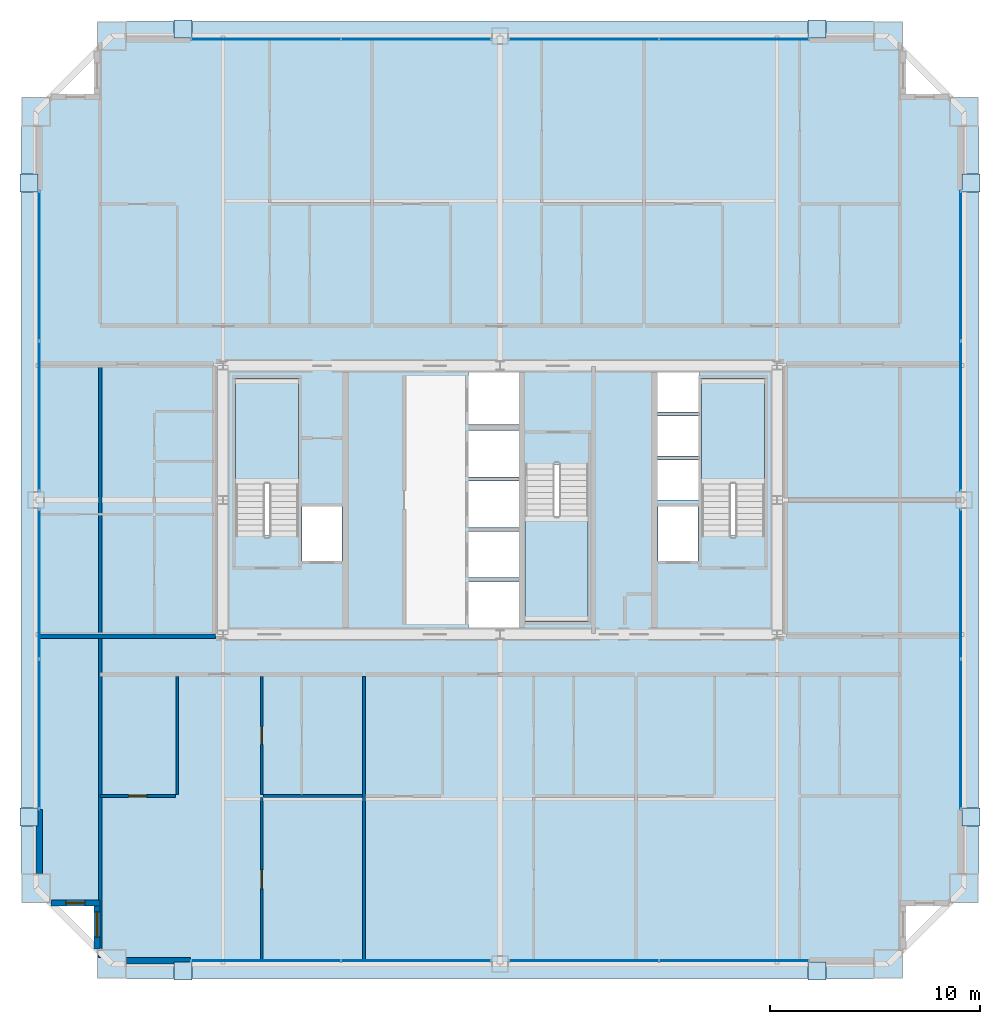
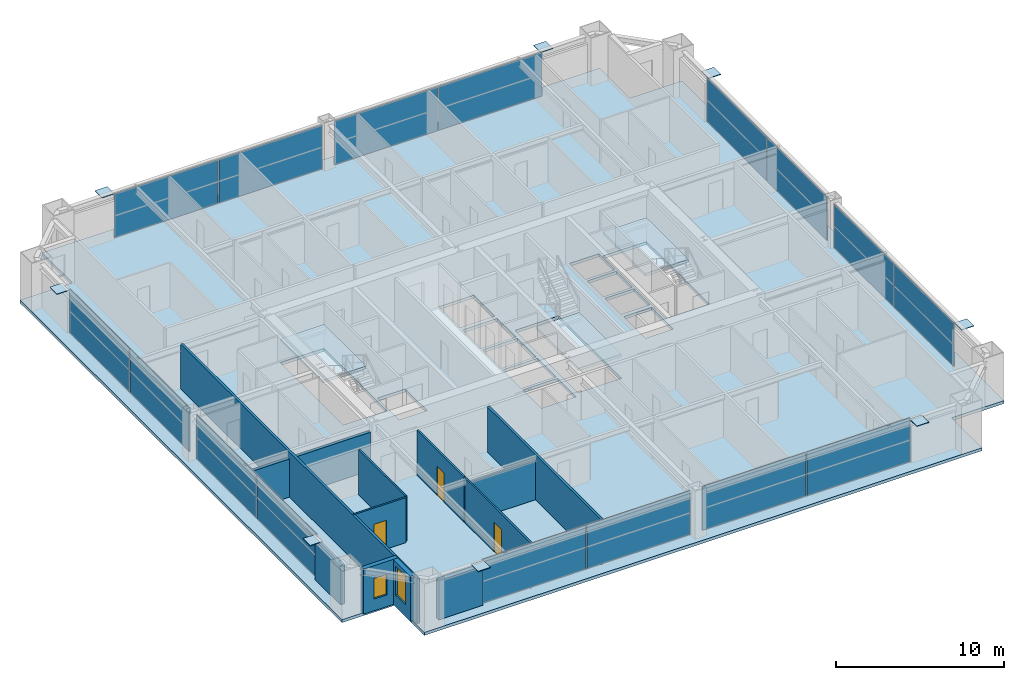
# One storey, part 32 of 38: 24 plates, 12 walls, 4 slabs, 3 doors, 2 windows, 5 openings, 11 elements without a shape of their own.
"""IFC4 building model written with IfcOpenShell, lengths in metres."""

from ifc_helpers import new_model, si_unit, direction, frame, frame_2d, origin, origin_2d, place, context, subcontext, project, spatial, polyline, rectangle, outline, extrude, source, transform, mapped, material, layer, layer_set, type_object, element, fill, aggregate, save


model = new_model("IFC4")

# Units and contexts
model_context = context("Model", 3, precision=1e-05, world=origin(), true_north=direction((0.0, 1.0)))
body_context = subcontext(model_context, "Body", "Model", "MODEL_VIEW")
ifc_project = project(units=[si_unit("LENGTHUNIT", "METRE"), si_unit("AREAUNIT", "SQUARE_METRE"), si_unit("VOLUMEUNIT", "CUBIC_METRE"), si_unit("PLANEANGLEUNIT", "RADIAN"), si_unit("MASSUNIT", "GRAM", prefix="KILO"), si_unit("THERMODYNAMICTEMPERATUREUNIT", "KELVIN"), si_unit("POWERUNIT", "WATT")], contexts=[model_context])

# Site, building, storey
site_placement = place(None, origin())
site = spatial("IfcSite", under=ifc_project, at=site_placement, CompositionType="ELEMENT")
building_placement = place(site_placement, origin())
building = spatial("IfcBuilding", under=site, at=building_placement, Name="Yuzanri Waterfront Tower", CompositionType="ELEMENT")
storey_placement = place(building_placement, frame((0.0, 0.0, 209.0)))
storey = spatial("IfcBuildingStorey", under=building, at=storey_placement, Name="L55", CompositionType="ELEMENT", Elevation=209.0)

# Stair, slab
ifc_material_1 = material(Name="Concrete C40", Category="concrete")
stair_type = type_object("IfcStairType", Name="Concrete C40 Core Dogleg Exit Stair", PredefinedType="HALF_TURN_STAIR", material=ifc_material_1)
stair_1_placement = place(storey_placement, origin())
stair_1 = element("IfcStair", 1, at=stair_1_placement, inside=storey, type_object=stair_type, Name="L55 Smoke-Proof Core Stair ST-01", PredefinedType="HALF_TURN_STAIR")
ifc_material_2 = material(Name="Concrete C40", Category="concrete")
ifc_layer_1 = layer(ifc_material_2, 0.179931640625)
ifc_layer_set_1 = layer_set([ifc_layer_1], Name="Concrete C40")
slab_type_1 = type_object("IfcSlabType", Name="Concrete C40 Stair Half-Landing Slab 180", PredefinedType="LANDING", material=ifc_layer_set_1)
slab_1_placement = place(storey_placement, frame((0.0, 0.0, 1.550048828125)))
slab_1 = element("IfcSlab", 2, at=slab_1_placement, type_object=slab_type_1, Name="ST-01 landing 1", PredefinedType="LANDING", context=body_context, shape_type="SweptSolid", body=[
    extrude(outline(polyline([(27.39990234375, 26.56005859375), (27.39990234375, 31.580078125), (24.39990234375, 31.580078125), (24.39990234375, 26.56005859375), (27.39990234375, 26.56005859375)])), origin(), (0.0, 0.0, 1.0), 0.199951171875),
])
aggregate(stair_1, [slab_1])

stair_2_placement = place(storey_placement, origin())
stair_2 = element("IfcStair", 3, at=stair_2_placement, inside=storey, type_object=stair_type, Name="L55 Smoke-Proof Core Stair ST-02", PredefinedType="HALF_TURN_STAIR")
slab_2_placement = place(storey_placement, frame((0.0, 0.0, 1.550048828125)))
slab_2 = element("IfcSlab", 4, at=slab_2_placement, type_object=slab_type_1, Name="ST-02 landing 1", PredefinedType="LANDING", context=body_context, shape_type="SweptSolid", body=[
    extrude(outline(polyline([(49.60009765625, 26.56005859375), (49.60009765625, 31.580078125), (46.60009765625, 31.580078125), (46.60009765625, 26.56005859375), (49.60009765625, 26.56005859375)])), origin(), (0.0, 0.0, 1.0), 0.199951171875),
])
aggregate(stair_2, [slab_2])

stair_3_placement = place(storey_placement, origin())
stair_3 = element("IfcStair", 5, at=stair_3_placement, inside=storey, type_object=stair_type, Name="L55 Smoke-Proof Core Stair ST-03", PredefinedType="HALF_TURN_STAIR")
slab_3_placement = place(storey_placement, frame((0.0, 0.0, 1.550048828125)))
slab_3 = element("IfcSlab", 6, at=slab_3_placement, type_object=slab_type_1, Name="ST-03 landing 1", PredefinedType="LANDING", context=body_context, shape_type="SweptSolid", body=[
    extrude(outline(polyline([(38.199951171875, 25.0400390625), (38.199951171875, 20.02001953125), (41.199951171875, 20.02001953125), (41.199951171875, 25.0400390625), (38.199951171875, 25.0400390625)])), origin(), (0.0, 0.0, 1.0), 0.199951171875),
])
aggregate(stair_3, [slab_3])

# Slab
ifc_material_3 = material(Name="Concrete C40", Category="concrete")
ifc_layer_2 = layer(ifc_material_3, 0.219970703125)
ifc_layer_set_2 = layer_set([ifc_layer_2], Name="Concrete C40")
slab_type_2 = type_object("IfcSlabType", Name="Concrete C40 Tower Typical Structural Floor Slab 220", PredefinedType="FLOOR", material=ifc_layer_set_2)
slab_4_placement = place(storey_placement, frame((0.0, 0.0, -0.219970703125)))
element("IfcSlab", 7, at=slab_4_placement, inside=storey, type_object=slab_type_2, Name="L55 Main Structural Floor Slab", PredefinedType="FLOOR", context=body_context, shape_type="SweptSolid", body=[
    extrude(outline(polyline([(17.800048828125, 3.0), (56.199951171875, 3.0), (56.199951171875, 6.60009765625), (59.800048828125, 6.60009765625), (59.800048828125, 45.0), (56.199951171875, 45.0), (56.199951171875, 48.60009765625), (17.800048828125, 48.60009765625), (17.800048828125, 45.0), (14.199951171875, 45.0), (14.199951171875, 6.60009765625), (17.800048828125, 6.60009765625), (17.800048828125, 3.0)]), holes=[polyline([(27.39990234375, 24.10009765625), (27.39990234375, 31.580078125), (24.39990234375, 31.580078125), (24.39990234375, 24.10009765625), (27.39990234375, 24.10009765625)]), polyline([(49.60009765625, 24.10009765625), (49.60009765625, 31.580078125), (46.60009765625, 31.580078125), (46.60009765625, 24.10009765625), (49.60009765625, 24.10009765625)]), polyline([(38.199951171875, 27.5), (38.199951171875, 20.02001953125), (41.199951171875, 20.02001953125), (41.199951171875, 27.5), (38.199951171875, 27.5)]), polyline([(27.56005859375, 22.89990234375), (29.47998046875, 22.89990234375), (29.47998046875, 25.5), (27.56005859375, 25.5), (27.56005859375, 22.89990234375)]), polyline([(44.52001953125, 22.89990234375), (46.43994140625, 22.89990234375), (46.43994140625, 25.5), (44.52001953125, 25.5), (44.52001953125, 22.89990234375)]), polyline([(35.5, 19.699951171875), (37.89990234375, 19.699951171875), (37.89990234375, 21.89990234375), (35.5, 21.89990234375), (35.5, 19.699951171875)]), polyline([(35.5, 22.10009765625), (37.89990234375, 22.10009765625), (37.89990234375, 24.300048828125), (35.5, 24.300048828125), (35.5, 22.10009765625)]), polyline([(35.5, 24.5), (37.89990234375, 24.5), (37.89990234375, 26.699951171875), (35.5, 26.699951171875), (35.5, 24.5)]), polyline([(35.5, 26.89990234375), (37.89990234375, 26.89990234375), (37.89990234375, 29.10009765625), (35.5, 29.10009765625), (35.5, 26.89990234375)]), polyline([(35.5, 29.39990234375), (37.89990234375, 29.39990234375), (37.89990234375, 31.89990234375), (35.5, 31.89990234375), (35.5, 29.39990234375)]), polyline([(44.5, 25.800048828125), (46.5, 25.800048828125), (46.5, 27.699951171875), (44.5, 27.699951171875), (44.5, 25.800048828125)]), polyline([(44.5, 27.89990234375), (46.5, 27.89990234375), (46.5, 29.800048828125), (44.5, 29.800048828125), (44.5, 27.89990234375)]), polyline([(44.5, 30.0), (46.5, 30.0), (46.5, 31.89990234375), (44.5, 31.89990234375), (44.5, 30.0)])]), origin(), (0.0, 0.0, 1.0), 0.219970703125),
])

# Plates
ifc_material_4 = material(Name="Steel Q420GJC", Category="steel")
ifc_layer_3 = layer(ifc_material_4, 0.0400390625)
ifc_layer_set_3 = layer_set([ifc_layer_3], Name="Steel Q420GJC")
plate_type_1 = type_object("IfcPlateType", Name="Steel Q420GJC Mega-Brace Gusset and End-Cap Plate 40", PredefinedType="SHEET", material=ifc_layer_set_3)
shared_shape_1 = source(origin(), body_context, "Body", "SweptSolid", [
    extrude(rectangle(XDim=0.85009765625, YDim=0.85009765625, at=origin_2d()), origin(), (0.0, 0.0, 1.0), 0.0400390625),
])
for number, where, z_axis, x_axis, name in (
    (8, (21.89990234375, 3.360107421875, 3.159912109375), (0.0, 0.0, 1.0), (1.0, 0.0, 0.0), "L55 Mega-Brace Apex Cap Plate S-L"),
    (9, (52.10009765625, 3.360107421875, 3.159912109375), (0.0, 0.0, 1.0), (1.0, 0.0, 0.0), "L55 Mega-Brace Apex Cap Plate S-R"),
    (10, (21.89990234375, 48.239990234375, 3.159912109375), (0.0, 0.0, 1.0), (1.0, 0.0, 0.0), "L55 Mega-Brace Apex Cap Plate N-L"),
    (11, (52.10009765625, 48.239990234375, 3.159912109375), (0.0, 0.0, 1.0), (1.0, 0.0, 0.0), "L55 Mega-Brace Apex Cap Plate N-R"),
    (12, (14.56005859375, 10.699951171875, 3.159912109375), (0.0, 0.0, 1.0), (1.0, 0.0, 0.0), "L55 Mega-Brace Apex Cap Plate W-L"),
    (13, (14.56005859375, 40.89990234375, 3.159912109375), (0.0, 0.0, 1.0), (1.0, 0.0, 0.0), "L55 Mega-Brace Apex Cap Plate W-R"),
    (14, (59.43994140625, 10.699951171875, 3.159912109375), (0.0, 0.0, 1.0), (1.0, 0.0, 0.0), "L55 Mega-Brace Apex Cap Plate E-L"),
    (15, (59.43994140625, 40.89990234375, 3.159912109375), (0.0, 0.0, 1.0), (1.0, 0.0, 0.0), "L55 Mega-Brace Apex Cap Plate E-R"),
):
    element("IfcPlate", number, at=place(storey_placement, frame(where, z_axis=z_axis, x_axis=x_axis)), inside=storey, type_object=plate_type_1, Name=name, PredefinedType="SHEET", context=body_context, shape_type="MappedRepresentation", body=[
        mapped(shared_shape_1, transform((0.0, 0.0, 0.0), scale=1.0)),
    ])

# Curtain wall, plates
ifc_material_5 = material(Name="Anodized Architectural Bronze", Category="metal")
ifc_layer_4 = layer(ifc_material_5, 0.159912109375)
ifc_layer_set_4 = layer_set([ifc_layer_4], Name="Anodized Architectural Bronze")
curtain_wall_type = type_object("IfcCurtainWallType", Name="Anodized Bronze Mid-Rise Residential Acoustic Unitized Curtain Wall 7200", PredefinedType="NOTDEFINED", material=ifc_layer_set_4)
curtain_wall_1_placement = place(storey_placement, origin())
curtain_wall_1 = element("IfcCurtainWall", 16, at=curtain_wall_1_placement, inside=storey, type_object=curtain_wall_type, Name="L55 Curtain Wall CW-L55-SL", PredefinedType="NOTDEFINED")
ifc_material_6 = material(Name="Triple Low-E Laminated Insulated Glass", Category="glass")
ifc_layer_5 = layer(ifc_material_6, 0.0439453125)
ifc_layer_set_5 = layer_set([ifc_layer_5], Name="Triple Low-E Laminated Insulated Glass")
plate_type_2 = type_object("IfcPlateType", Name="Triple Glazed Acoustic Vision Glass Panel 44", PredefinedType="CURTAIN_PANEL", material=ifc_layer_set_5)
shared_shape_2 = source(origin(), body_context, "Body", "SweptSolid", [
    extrude(rectangle(XDim=7.094970703125, YDim=0.0439453125, at=origin_2d()), origin(), (0.0, 0.0, 1.0), 3.179931640625),
])
plate_1_placement = place(storey_placement, frame((25.83740234375, 3.85009765625, 0.0498046875), z_axis=(0.0, 0.0, 1.0), x_axis=(1.0, 0.0, 0.0)))
plate_1 = element("IfcPlate", 17, at=plate_1_placement, type_object=plate_type_2, Name="CW-L55-SL Vision Glass Panel 01", PredefinedType="CURTAIN_PANEL", context=body_context, shape_type="MappedRepresentation", body=[
    mapped(shared_shape_2, transform((0.0, 0.0, 0.0), scale=1.0)),
])
plate_2_placement = place(storey_placement, frame((33.012451171875, 3.85009765625, 0.0498046875), z_axis=(0.0, 0.0, 1.0), x_axis=(1.0, 0.0, 0.0)))
plate_2 = element("IfcPlate", 18, at=plate_2_placement, type_object=plate_type_2, Name="CW-L55-SL Vision Glass Panel 02", PredefinedType="CURTAIN_PANEL", context=body_context, shape_type="MappedRepresentation", body=[
    mapped(shared_shape_2, transform((0.0, 0.0, 0.0), scale=1.0)),
])
aggregate(curtain_wall_1, [plate_1, plate_2])

curtain_wall_2_placement = place(storey_placement, origin())
curtain_wall_2 = element("IfcCurtainWall", 19, at=curtain_wall_2_placement, inside=storey, type_object=curtain_wall_type, Name="L55 Curtain Wall CW-L55-SR", PredefinedType="NOTDEFINED")
plate_3_placement = place(storey_placement, frame((40.987548828125, 3.85009765625, 0.0498046875), z_axis=(0.0, 0.0, 1.0), x_axis=(1.0, 0.0, 0.0)))
plate_3 = element("IfcPlate", 20, at=plate_3_placement, type_object=plate_type_2, Name="CW-L55-SR Vision Glass Panel 01", PredefinedType="CURTAIN_PANEL", context=body_context, shape_type="MappedRepresentation", body=[
    mapped(shared_shape_2, transform((0.0, 0.0, 0.0), scale=1.0)),
])
plate_4_placement = place(storey_placement, frame((48.16259765625, 3.85009765625, 0.0498046875), z_axis=(0.0, 0.0, 1.0), x_axis=(1.0, 0.0, 0.0)))
plate_4 = element("IfcPlate", 21, at=plate_4_placement, type_object=plate_type_2, Name="CW-L55-SR Vision Glass Panel 02", PredefinedType="CURTAIN_PANEL", context=body_context, shape_type="MappedRepresentation", body=[
    mapped(shared_shape_2, transform((0.0, 0.0, 0.0), scale=1.0)),
])
aggregate(curtain_wall_2, [plate_3, plate_4])

curtain_wall_3_placement = place(storey_placement, origin())
curtain_wall_3 = element("IfcCurtainWall", 22, at=curtain_wall_3_placement, inside=storey, type_object=curtain_wall_type, Name="L55 Curtain Wall CW-L55-NL", PredefinedType="NOTDEFINED")
plate_5_placement = place(storey_placement, frame((25.83740234375, 47.75, 0.0498046875), z_axis=(0.0, 0.0, 1.0), x_axis=(1.0, 0.0, 0.0)))
plate_5 = element("IfcPlate", 23, at=plate_5_placement, type_object=plate_type_2, Name="CW-L55-NL Vision Glass Panel 01", PredefinedType="CURTAIN_PANEL", context=body_context, shape_type="MappedRepresentation", body=[
    mapped(shared_shape_2, transform((0.0, 0.0, 0.0), scale=1.0)),
])
plate_6_placement = place(storey_placement, frame((33.012451171875, 47.75, 0.0498046875), z_axis=(0.0, 0.0, 1.0), x_axis=(1.0, 0.0, 0.0)))
plate_6 = element("IfcPlate", 24, at=plate_6_placement, type_object=plate_type_2, Name="CW-L55-NL Vision Glass Panel 02", PredefinedType="CURTAIN_PANEL", context=body_context, shape_type="MappedRepresentation", body=[
    mapped(shared_shape_2, transform((0.0, 0.0, 0.0), scale=1.0)),
])
aggregate(curtain_wall_3, [plate_5, plate_6])

curtain_wall_4_placement = place(storey_placement, origin())
curtain_wall_4 = element("IfcCurtainWall", 25, at=curtain_wall_4_placement, inside=storey, type_object=curtain_wall_type, Name="L55 Curtain Wall CW-L55-NR", PredefinedType="NOTDEFINED")
plate_7_placement = place(storey_placement, frame((40.987548828125, 47.75, 0.0498046875), z_axis=(0.0, 0.0, 1.0), x_axis=(1.0, 0.0, 0.0)))
plate_7 = element("IfcPlate", 26, at=plate_7_placement, type_object=plate_type_2, Name="CW-L55-NR Vision Glass Panel 01", PredefinedType="CURTAIN_PANEL", context=body_context, shape_type="MappedRepresentation", body=[
    mapped(shared_shape_2, transform((0.0, 0.0, 0.0), scale=1.0)),
])
plate_8_placement = place(storey_placement, frame((48.16259765625, 47.75, 0.0498046875), z_axis=(0.0, 0.0, 1.0), x_axis=(1.0, 0.0, 0.0)))
plate_8 = element("IfcPlate", 27, at=plate_8_placement, type_object=plate_type_2, Name="CW-L55-NR Vision Glass Panel 02", PredefinedType="CURTAIN_PANEL", context=body_context, shape_type="MappedRepresentation", body=[
    mapped(shared_shape_2, transform((0.0, 0.0, 0.0), scale=1.0)),
])
aggregate(curtain_wall_4, [plate_7, plate_8])

curtain_wall_5_placement = place(storey_placement, origin())
curtain_wall_5 = element("IfcCurtainWall", 28, at=curtain_wall_5_placement, inside=storey, type_object=curtain_wall_type, Name="L55 Curtain Wall CW-L55-WL", PredefinedType="NOTDEFINED")
plate_9_placement = place(storey_placement, frame((15.050048828125, 14.637451171875, 0.0498046875), z_axis=(0.0, 0.0, 1.0), x_axis=(0.0, 1.0, 0.0)))
plate_9 = element("IfcPlate", 29, at=plate_9_placement, type_object=plate_type_2, Name="CW-L55-WL Vision Glass Panel 01", PredefinedType="CURTAIN_PANEL", context=body_context, shape_type="MappedRepresentation", body=[
    mapped(shared_shape_2, transform((0.0, 0.0, 0.0), scale=1.0)),
])
plate_10_placement = place(storey_placement, frame((15.050048828125, 21.8125, 0.0498046875), z_axis=(0.0, 0.0, 1.0), x_axis=(0.0, 1.0, 0.0)))
plate_10 = element("IfcPlate", 30, at=plate_10_placement, type_object=plate_type_2, Name="CW-L55-WL Vision Glass Panel 02", PredefinedType="CURTAIN_PANEL", context=body_context, shape_type="MappedRepresentation", body=[
    mapped(shared_shape_2, transform((0.0, 0.0, 0.0), scale=1.0)),
])
aggregate(curtain_wall_5, [plate_9, plate_10])

curtain_wall_6_placement = place(storey_placement, origin())
curtain_wall_6 = element("IfcCurtainWall", 31, at=curtain_wall_6_placement, inside=storey, type_object=curtain_wall_type, Name="L55 Curtain Wall CW-L55-WR", PredefinedType="NOTDEFINED")
plate_11_placement = place(storey_placement, frame((15.050048828125, 29.78759765625, 0.0498046875), z_axis=(0.0, 0.0, 1.0), x_axis=(0.0, 1.0, 0.0)))
plate_11 = element("IfcPlate", 32, at=plate_11_placement, type_object=plate_type_2, Name="CW-L55-WR Vision Glass Panel 01", PredefinedType="CURTAIN_PANEL", context=body_context, shape_type="MappedRepresentation", body=[
    mapped(shared_shape_2, transform((0.0, 0.0, 0.0), scale=1.0)),
])
plate_12_placement = place(storey_placement, frame((15.050048828125, 36.96240234375, 0.0498046875), z_axis=(0.0, 0.0, 1.0), x_axis=(0.0, 1.0, 0.0)))
plate_12 = element("IfcPlate", 33, at=plate_12_placement, type_object=plate_type_2, Name="CW-L55-WR Vision Glass Panel 02", PredefinedType="CURTAIN_PANEL", context=body_context, shape_type="MappedRepresentation", body=[
    mapped(shared_shape_2, transform((0.0, 0.0, 0.0), scale=1.0)),
])
aggregate(curtain_wall_6, [plate_11, plate_12])

curtain_wall_7_placement = place(storey_placement, origin())
curtain_wall_7 = element("IfcCurtainWall", 34, at=curtain_wall_7_placement, inside=storey, type_object=curtain_wall_type, Name="L55 Curtain Wall CW-L55-EL", PredefinedType="NOTDEFINED")
plate_13_placement = place(storey_placement, frame((58.949951171875, 14.637451171875, 0.0498046875), z_axis=(0.0, 0.0, 1.0), x_axis=(0.0, 1.0, 0.0)))
plate_13 = element("IfcPlate", 35, at=plate_13_placement, type_object=plate_type_2, Name="CW-L55-EL Vision Glass Panel 01", PredefinedType="CURTAIN_PANEL", context=body_context, shape_type="MappedRepresentation", body=[
    mapped(shared_shape_2, transform((0.0, 0.0, 0.0), scale=1.0)),
])
plate_14_placement = place(storey_placement, frame((58.949951171875, 21.8125, 0.0498046875), z_axis=(0.0, 0.0, 1.0), x_axis=(0.0, 1.0, 0.0)))
plate_14 = element("IfcPlate", 36, at=plate_14_placement, type_object=plate_type_2, Name="CW-L55-EL Vision Glass Panel 02", PredefinedType="CURTAIN_PANEL", context=body_context, shape_type="MappedRepresentation", body=[
    mapped(shared_shape_2, transform((0.0, 0.0, 0.0), scale=1.0)),
])
aggregate(curtain_wall_7, [plate_13, plate_14])

curtain_wall_8_placement = place(storey_placement, origin())
curtain_wall_8 = element("IfcCurtainWall", 37, at=curtain_wall_8_placement, inside=storey, type_object=curtain_wall_type, Name="L55 Curtain Wall CW-L55-ER", PredefinedType="NOTDEFINED")
plate_15_placement = place(storey_placement, frame((58.949951171875, 29.78759765625, 0.0498046875), z_axis=(0.0, 0.0, 1.0), x_axis=(0.0, 1.0, 0.0)))
plate_15 = element("IfcPlate", 38, at=plate_15_placement, type_object=plate_type_2, Name="CW-L55-ER Vision Glass Panel 01", PredefinedType="CURTAIN_PANEL", context=body_context, shape_type="MappedRepresentation", body=[
    mapped(shared_shape_2, transform((0.0, 0.0, 0.0), scale=1.0)),
])
plate_16_placement = place(storey_placement, frame((58.949951171875, 36.96240234375, 0.0498046875), z_axis=(0.0, 0.0, 1.0), x_axis=(0.0, 1.0, 0.0)))
plate_16 = element("IfcPlate", 39, at=plate_16_placement, type_object=plate_type_2, Name="CW-L55-ER Vision Glass Panel 02", PredefinedType="CURTAIN_PANEL", context=body_context, shape_type="MappedRepresentation", body=[
    mapped(shared_shape_2, transform((0.0, 0.0, 0.0), scale=1.0)),
])
aggregate(curtain_wall_8, [plate_15, plate_16])

# Wall, opening, door
ifc_material_7 = material(Name="Moisture-Resistant Gypsum Stud Wall", Category="gypsum")
ifc_layer_6 = layer(ifc_material_7, 0.1201171875)
ifc_layer_set_6 = layer_set([ifc_layer_6], Name="Moisture-Resistant Gypsum Stud Wall")
wall_type_1 = type_object("IfcWallType", Name="Bathroom and Kitchen Wet Partition 120", PredefinedType="PARTITIONING", material=ifc_layer_set_6)
wall_1_placement = place(storey_placement, frame((17.93994140625, 11.699951171875, 0.0), z_axis=(0.0, 0.0, 1.0), x_axis=(1.0, 0.0, 0.0)))
wall_1 = element("IfcWall", 40, at=wall_1_placement, inside=storey, type_object=wall_type_1, Name="L55 Partition UW-L55-RS1-SUB-1-S", PredefinedType="PARTITIONING", context=body_context, shape_type="SweptSolid", body=[
    extrude(rectangle(XDim=3.60009765625, YDim=0.1201171875, at=frame_2d((1.800048828125, 0.0))), origin(), (0.0, 0.0, 1.0), 3.280029296875),
])
opening_1_placement = place(wall_1_placement, frame((1.375, 0.0, 0.0)))
opening_1 = element("IfcOpeningElement", 41, at=opening_1_placement, cuts=wall_1, Name="Opening ID-0850", PredefinedType="OPENING", context=body_context, shape_type="SweptSolid", body=[
    extrude(rectangle(XDim=0.85009765625, YDim=2.10009765625, at=frame_2d((0.425048828125, 1.050048828125))), frame((0.0, 0.074951171875, 0.0), z_axis=(0.0, -1.0, 0.0), x_axis=(1.0, 0.0, 0.0)), (0.0, 0.0, 1.0), 0.14990234375),
])
ifc_material_8 = material(Name="Moisture-Resistant Lacquered Timber", Category="wood")
door_type_1 = type_object("IfcDoorType", Name="En-Suite Bathroom and Kitchen Swing Door 850x2100", OperationType="NOTDEFINED", PredefinedType="DOOR", material=ifc_material_8)
shared_shape_3 = source(origin(), body_context, "Body", "SweptSolid", [
    extrude(rectangle(XDim=0.85009765625, YDim=2.10009765625, at=frame_2d((0.425048828125, 1.050048828125))), frame((0.0, 0.02490234375, 0.0), z_axis=(0.0, -1.0, 0.0), x_axis=(1.0, 0.0, 0.0)), (0.0, 0.0, 1.0), 0.050048828125),
])
door_1_placement = place(opening_1_placement, origin())
door_1 = element("IfcDoor", 42, at=door_1_placement, inside=storey, type_object=door_type_1, Name="L55 Suite Interior Room Door", OperationType="SINGLE_SWING_LEFT", OverallHeight=2.10009765625, OverallWidth=0.85009765625, PredefinedType="DOOR", context=body_context, shape_type="MappedRepresentation", body=[
    mapped(shared_shape_3, transform((0.0, 0.0, 0.0), scale=1.0)),
])
fill(opening_1, door_1)

wall_2_placement = place(storey_placement, frame((25.64794921875, 3.85009765625, 0.0), z_axis=(0.0, 0.0, 1.0), x_axis=(0.0, 1.0, 0.0)))
wall_2 = element("IfcWall", 43, at=wall_2_placement, inside=storey, type_object=wall_type_1, Name="L55 Partition UW-L55-RS1-SUB-3-W", PredefinedType="PARTITIONING", context=body_context, shape_type="SweptSolid", body=[
    extrude(rectangle(XDim=7.77001953125, YDim=0.1201171875, at=frame_2d((3.885009765625, 0.0))), origin(), (0.0, 0.0, 1.0), 3.280029296875),
])
opening_2_placement = place(wall_2_placement, frame((3.43505859375, 0.0, 0.0)))
opening_2 = element("IfcOpeningElement", 44, at=opening_2_placement, cuts=wall_2, Name="Opening ID-0900", PredefinedType="OPENING", context=body_context, shape_type="SweptSolid", body=[
    extrude(rectangle(XDim=0.89990234375, YDim=2.14990234375, at=frame_2d((0.449951171875, 1.074951171875))), frame((0.0, 0.074951171875, 0.0), z_axis=(0.0, -1.0, 0.0), x_axis=(1.0, 0.0, 0.0)), (0.0, 0.0, 1.0), 0.14990234375),
])
ifc_material_9 = material(Name="Stained Walnut Veneer Timber", Category="wood")
door_type_2 = type_object("IfcDoorType", Name="Bedroom and Study Interior Swing Door 900x2150", OperationType="NOTDEFINED", PredefinedType="DOOR", material=ifc_material_9)
shared_shape_4 = source(origin(), body_context, "Body", "SweptSolid", [
    extrude(rectangle(XDim=0.89990234375, YDim=2.14990234375, at=frame_2d((0.449951171875, 1.074951171875))), frame((0.0, 0.02490234375, 0.0), z_axis=(0.0, -1.0, 0.0), x_axis=(1.0, 0.0, 0.0)), (0.0, 0.0, 1.0), 0.050048828125),
])
door_2_placement = place(opening_2_placement, origin())
door_2 = element("IfcDoor", 45, at=door_2_placement, inside=storey, type_object=door_type_2, Name="L55 Suite Interior Room Door", OperationType="SINGLE_SWING_LEFT", OverallHeight=2.14990234375, OverallWidth=0.89990234375, PredefinedType="DOOR", context=body_context, shape_type="MappedRepresentation", body=[
    mapped(shared_shape_4, transform((0.0, 0.0, 0.0), scale=1.0)),
])
fill(opening_2, door_2)

wall_3_placement = place(storey_placement, frame((25.64794921875, 11.780029296875, 0.0), z_axis=(0.0, 0.0, 1.0), x_axis=(0.0, 1.0, 0.0)))
wall_3 = element("IfcWall", 46, at=wall_3_placement, inside=storey, type_object=wall_type_1, Name="L55 Partition UW-L55-RS1-SUB-4-W", PredefinedType="PARTITIONING", context=body_context, shape_type="SweptSolid", body=[
    extrude(rectangle(XDim=5.60986328125, YDim=0.1201171875, at=frame_2d((2.804931640625, 0.0))), origin(), (0.0, 0.0, 1.0), 3.280029296875),
])
opening_3_placement = place(wall_3_placement, frame((2.3798828125, 0.0, 0.0)))
opening_3 = element("IfcOpeningElement", 47, at=opening_3_placement, cuts=wall_3, Name="Opening ID-0850", PredefinedType="OPENING", context=body_context, shape_type="SweptSolid", body=[
    extrude(rectangle(XDim=0.85009765625, YDim=2.10009765625, at=frame_2d((0.425048828125, 1.050048828125))), frame((0.0, 0.074951171875, 0.0), z_axis=(0.0, -1.0, 0.0), x_axis=(1.0, 0.0, 0.0)), (0.0, 0.0, 1.0), 0.14990234375),
])
door_3_placement = place(opening_3_placement, origin())
door_3 = element("IfcDoor", 48, at=door_3_placement, inside=storey, type_object=door_type_1, Name="L55 Suite Interior Room Door", OperationType="SINGLE_SWING_RIGHT", OverallHeight=2.10009765625, OverallWidth=0.85009765625, PredefinedType="DOOR", context=body_context, shape_type="MappedRepresentation", body=[
    mapped(shared_shape_3, transform((0.0, 0.0, 0.0), scale=1.0)),
])
fill(opening_3, door_3)

# Wall, opening, window
ifc_material_10 = material(Name="Honed Chongqing Dark Basalt Stone", Category="masonry")
ifc_layer_7 = layer(ifc_material_10, 0.300048828125)
ifc_layer_set_7 = layer_set([ifc_layer_7], Name="Honed Chongqing Dark Basalt Stone")
wall_type_2 = type_object("IfcWallType", Name="Bronze Rainscreen Insulated Spandrel Portal Wall 300", PredefinedType="SOLIDWALL", material=ifc_layer_set_7)
wall_4_placement = place(storey_placement, frame((15.60009765625, 6.60009765625, 0.0), z_axis=(0.0, 0.0, 1.0), x_axis=(1.0, 0.0, 0.0)))
wall_4 = element("IfcWall", 49, at=wall_4_placement, inside=storey, type_object=wall_type_2, Name="L55 Notched Corner Masonry Wall SW-X", PredefinedType="SOLIDWALL", context=body_context, shape_type="SweptSolid", body=[
    extrude(rectangle(XDim=2.349853515625, YDim=0.300048828125, at=frame_2d((1.1748046875, 0.0))), origin(), (0.0, 0.0, 1.0), 3.280029296875),
])
opening_4_placement = place(wall_4_placement, frame((0.72509765625, 0.0, 0.85009765625)))
opening_4 = element("IfcOpeningElement", 50, at=opening_4_placement, cuts=wall_4, Name="Opening WN-05", PredefinedType="OPENING", context=body_context, shape_type="SweptSolid", body=[
    extrude(rectangle(XDim=0.89990234375, YDim=1.5, at=frame_2d((0.449951171875, 0.75))), frame((0.0, 0.1650390625, 0.0), z_axis=(0.0, -1.0, 0.0), x_axis=(1.0, 0.0, 0.0)), (0.0, 0.0, 1.0), 0.329833984375),
])
ifc_material_11 = material(Name="Double-Silver Low-E Insulated Glass", Category="glass")
window_type_1 = type_object("IfcWindowType", Name="Anodized Bronze Service and Stairwell Smoke-Vent Window 900x1500", PartitioningType="SINGLE_PANEL", PredefinedType="WINDOW", material=ifc_material_11)
shared_shape_5 = source(origin(), body_context, "Body", "SweptSolid", [
    extrude(rectangle(XDim=0.89990234375, YDim=1.5, at=frame_2d((0.449951171875, 0.75))), frame((0.0, 0.030029296875, 0.0), z_axis=(0.0, -1.0, 0.0), x_axis=(1.0, 0.0, 0.0)), (0.0, 0.0, 1.0), 0.06005859375),
])
window_1_placement = place(opening_4_placement, origin())
window_1 = element("IfcWindow", 51, at=window_1_placement, inside=storey, type_object=window_type_1, Name="L55 Notched Corner Window SW-X", OverallHeight=1.5, OverallWidth=0.89990234375, PartitioningType="SINGLE_PANEL", PredefinedType="WINDOW", context=body_context, shape_type="MappedRepresentation", body=[
    mapped(shared_shape_5, transform((0.0, 0.0, 0.0), scale=1.0)),
])
fill(opening_4, window_1)

wall_5_placement = place(storey_placement, frame((17.800048828125, 6.75, 0.0), z_axis=(0.0, 0.0, 1.0), x_axis=(0.0, -1.0, 0.0)))
wall_5 = element("IfcWall", 52, at=wall_5_placement, inside=storey, type_object=wall_type_2, Name="L55 Notched Corner Masonry Wall SW-Y", PredefinedType="SOLIDWALL", context=body_context, shape_type="SweptSolid", body=[
    extrude(rectangle(XDim=2.35009765625, YDim=0.300048828125, at=frame_2d((1.175048828125, 0.0))), origin(), (0.0, 0.0, 1.0), 3.280029296875),
])
opening_5_placement = place(wall_5_placement, frame((0.574951171875, 0.0, 0.85009765625)))
opening_5 = element("IfcOpeningElement", 53, at=opening_5_placement, cuts=wall_5, Name="Opening WN-02", PredefinedType="OPENING", context=body_context, shape_type="SweptSolid", body=[
    extrude(rectangle(XDim=1.199951171875, YDim=2.10009765625, at=frame_2d((0.60009765625, 1.050048828125))), frame((0.0, 0.1650390625, 0.0), z_axis=(0.0, -1.0, 0.0), x_axis=(1.0, 0.0, 0.0)), (0.0, 0.0, 1.0), 0.329833984375),
])
ifc_material_12 = material(Name="Double-Silver Low-E Insulated Glass", Category="glass")
window_type_2 = type_object("IfcWindowType", Name="Anodized Bronze Notched Corner Deep-Set Slot Window 1200x2100", PartitioningType="SINGLE_PANEL", PredefinedType="WINDOW", material=ifc_material_12)
shared_shape_6 = source(origin(), body_context, "Body", "SweptSolid", [
    extrude(rectangle(XDim=1.199951171875, YDim=2.10009765625, at=frame_2d((0.60009765625, 1.050048828125))), frame((0.0, 0.030029296875, 0.0), z_axis=(0.0, -1.0, 0.0), x_axis=(1.0, 0.0, 0.0)), (0.0, 0.0, 1.0), 0.06005859375),
])
window_2_placement = place(opening_5_placement, origin())
window_2 = element("IfcWindow", 54, at=window_2_placement, inside=storey, type_object=window_type_2, Name="L55 Notched Corner Window SW-Y", OverallHeight=2.10009765625, OverallWidth=1.199951171875, PartitioningType="SINGLE_PANEL", PredefinedType="WINDOW", context=body_context, shape_type="MappedRepresentation", body=[
    mapped(shared_shape_6, transform((0.0, 0.0, 0.0), scale=1.0)),
])
fill(opening_5, window_2)

# Walls
shared_shape_7 = source(origin(), body_context, "Body", "SweptSolid", [
    extrude(rectangle(XDim=3.050048828125, YDim=0.300048828125, at=frame_2d((1.52490234375, 0.0))), origin(), (0.0, 0.0, 1.0), 2.8349609375),
])
for number, where, z_axis, x_axis, name in (
    (55, (19.199951171875, 3.85009765625, 0.0), (0.0, 0.0, 1.0), (1.0, 0.0, 0.0), "L55 S Left Braced Masonry Shoulder"),
    (56, (15.050048828125, 8.0, 0.0), (0.0, 0.0, 1.0), (0.0, 1.0, 0.0), "L55 W Left Braced Masonry Shoulder"),
):
    element("IfcWall", number, at=place(storey_placement, frame(where, z_axis=z_axis, x_axis=x_axis)), inside=storey, type_object=wall_type_2, Name=name, PredefinedType="SOLIDWALL", context=body_context, shape_type="MappedRepresentation", body=[
        mapped(shared_shape_7, transform((0.0, 0.0, 0.0), scale=1.0)),
    ])
ifc_material_13 = material(Name="Gypsum Fireboard Acoustic Stud Wall", Category="gypsum")
ifc_layer_8 = layer(ifc_material_13, 0.159912109375)
ifc_layer_set_8 = layer_set([ifc_layer_8], Name="Gypsum Fireboard Acoustic Stud Wall")
wall_type_3 = type_object("IfcWallType", Name="Acoustic Suite Demising Partition 160", PredefinedType="PARTITIONING", material=ifc_layer_set_8)
shared_shape_8 = source(origin(), body_context, "Body", "SweptSolid", [
    extrude(rectangle(XDim=13.539794921875, YDim=0.159912109375, at=frame_2d((6.77001953125, 0.0))), origin(), (0.0, 0.0, 1.0), 3.280029296875),
])
wall_6_placement = place(storey_placement, frame((30.52001953125, 3.85009765625, 0.0), z_axis=(0.0, 0.0, 1.0), x_axis=(0.0, 1.0, 0.0)))
element("IfcWall", 57, at=wall_6_placement, inside=storey, type_object=wall_type_3, Name="L55-RS1 Party Wall", PredefinedType="PARTITIONING", context=body_context, shape_type="MappedRepresentation", body=[
    mapped(shared_shape_8, transform((0.0, 0.0, 0.0), scale=1.0)),
])
ifc_material_14 = material(Name="Autoclaved Aerated Concrete Blockwork", Category="masonry")
ifc_layer_9 = layer(ifc_material_14, 0.199951171875)
ifc_layer_set_9 = layer_set([ifc_layer_9], Name="Autoclaved Aerated Concrete Blockwork")
wall_type_4 = type_object("IfcWallType", Name="Corridor and Unit Party Fire Wall 200", PredefinedType="PARTITIONING", material=ifc_layer_set_9)
shared_shape_9 = source(origin(), body_context, "Body", "SweptSolid", [
    extrude(rectangle(XDim=8.39990234375, YDim=0.199951171875, at=frame_2d((4.199951171875, 0.0))), origin(), (0.0, 0.0, 1.0), 2.77490234375),
])
wall_7_placement = place(storey_placement, frame((15.050048828125, 19.31005859375, 0.0), z_axis=(0.0, 0.0, 1.0), x_axis=(1.0, 0.0, 0.0)))
element("IfcWall", 58, at=wall_7_placement, inside=storey, type_object=wall_type_4, Name="L55-RW1 Wing South Wall", PredefinedType="PARTITIONING", context=body_context, shape_type="MappedRepresentation", body=[
    mapped(shared_shape_9, transform((0.0, 0.0, 0.0), scale=1.0)),
])
shared_shape_10 = source(origin(), body_context, "Body", "SweptSolid", [
    extrude(rectangle(XDim=5.60986328125, YDim=0.1201171875, at=frame_2d((2.804931640625, 0.0))), origin(), (0.0, 0.0, 1.0), 3.280029296875),
])
wall_8_placement = place(storey_placement, frame((21.6201171875, 11.780029296875, 0.0), z_axis=(0.0, 0.0, 1.0), x_axis=(0.0, 1.0, 0.0)))
element("IfcWall", 59, at=wall_8_placement, inside=storey, type_object=wall_type_1, Name="L55 Partition UW-L55-RS1-SUB-1-E", PredefinedType="PARTITIONING", context=body_context, shape_type="MappedRepresentation", body=[
    mapped(shared_shape_10, transform((0.0, 0.0, 0.0), scale=1.0)),
])
shared_shape_11 = source(origin(), body_context, "Body", "SweptSolid", [
    extrude(rectangle(XDim=28.18994140625, YDim=0.159912109375, at=frame_2d((14.094970703125, 0.0))), origin(), (0.0, 0.0, 1.0), 3.280029296875),
])
wall_9_placement = place(storey_placement, frame((17.949951171875, 4.0, 0.0), z_axis=(0.0, 0.0, 1.0), x_axis=(0.0, 1.0, 0.0)))
element("IfcWall", 60, at=wall_9_placement, inside=storey, type_object=wall_type_3, Name="L55 South Band West End Wall", PredefinedType="PARTITIONING", context=body_context, shape_type="MappedRepresentation", body=[
    mapped(shared_shape_11, transform((0.0, 0.0, 0.0), scale=1.0)),
])
shared_shape_12 = source(origin(), body_context, "Body", "SweptSolid", [
    extrude(rectangle(XDim=4.7119140625, YDim=0.1201171875, at=frame_2d((2.35595703125, 0.0))), origin(), (0.0, 0.0, 1.0), 2.875),
])
wall_10_placement = place(storey_placement, frame((25.72802734375, 11.699951171875, 0.0), z_axis=(0.0, 0.0, 1.0), x_axis=(1.0, 0.0, 0.0)))
element("IfcWall", 61, at=wall_10_placement, inside=storey, type_object=wall_type_1, Name="L55 Partition UW-L55-RS1-SUB-3-N", PredefinedType="PARTITIONING", context=body_context, shape_type="MappedRepresentation", body=[
    mapped(shared_shape_12, transform((0.0, 0.0, 0.0), scale=1.0)),
])

save(model, "model.ifc")
